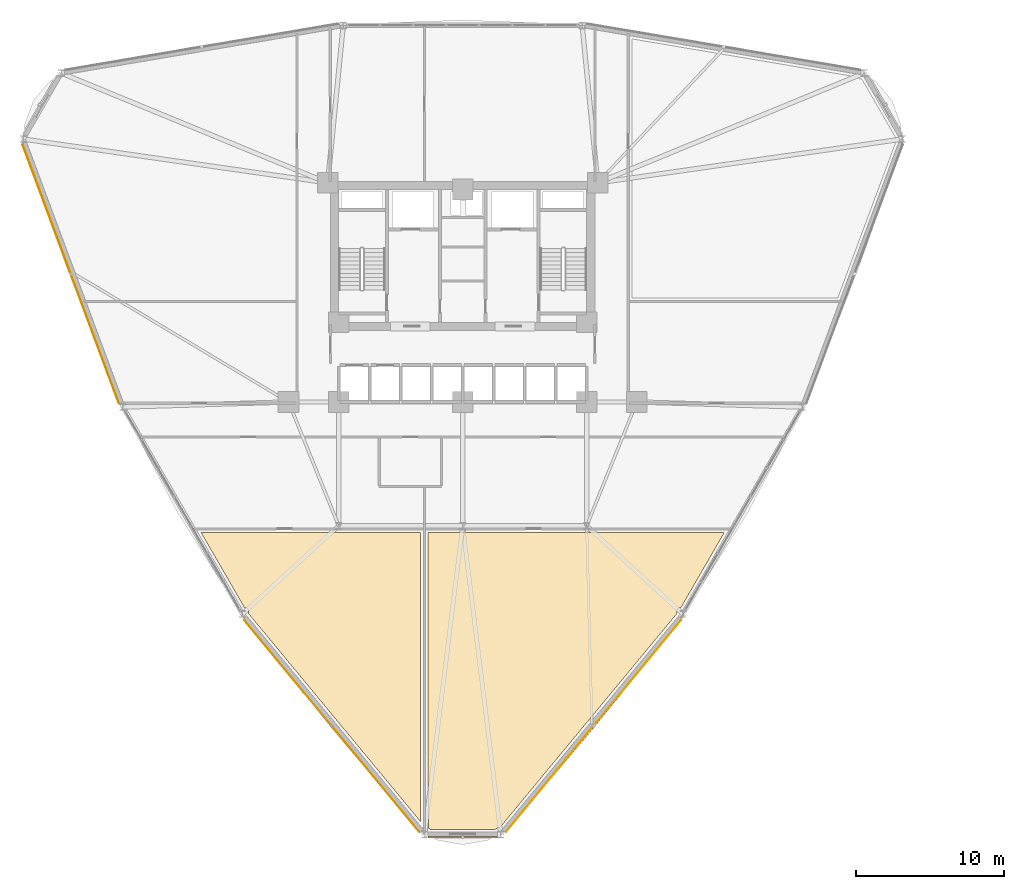
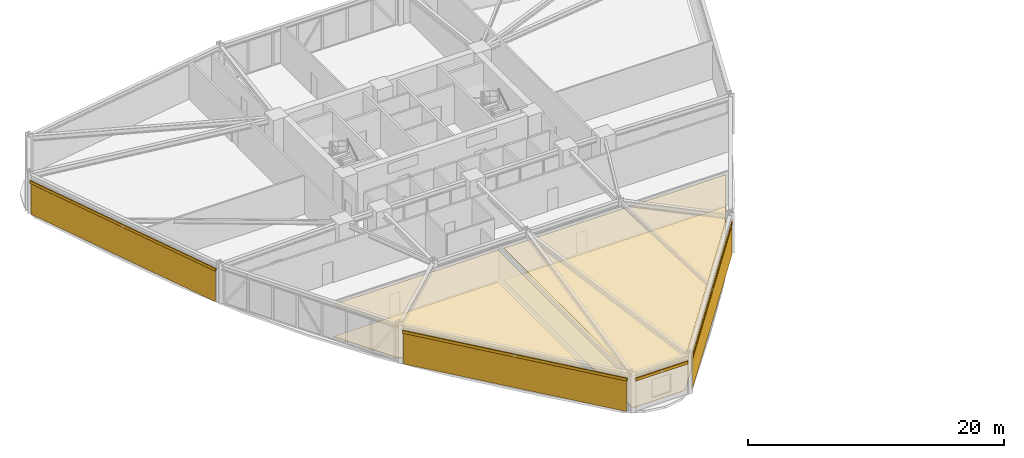
# One storey, part 21 of 23: 7 coverings, 4 shading devices.
"""IFC4 building model written with IfcOpenShell, lengths in metres."""

from ifc_helpers import new_model, si_unit, derived_unit, direction, frame, origin, origin_2d, place, context, subcontext, project, spatial, polyline, hollow_rectangle, outline, extrude, source, transform, mapped, material, layer, layer_set, material_profile, profile_set, type_object, element, save


model = new_model("IFC4")

# Units and contexts
model_context = context("Model", 3, precision=1e-05, world=origin(), true_north=direction((0.0, 1.0)))
body_context = subcontext(model_context, "Body", "Model", "MODEL_VIEW")
ifc_project = project(units=[si_unit("LENGTHUNIT", "METRE"), si_unit("AREAUNIT", "SQUARE_METRE"), si_unit("VOLUMEUNIT", "CUBIC_METRE"), si_unit("PLANEANGLEUNIT", "RADIAN"), si_unit("MASSUNIT", "GRAM", prefix="KILO"), derived_unit("THERMALTRANSMITTANCEUNIT", [(si_unit("POWERUNIT", "WATT"), 1), (si_unit("LENGTHUNIT", "METRE"), -2), (si_unit("THERMODYNAMICTEMPERATUREUNIT", "KELVIN"), -1)])], contexts=[model_context])

# Site, building, storey
site_placement = place(None, origin())
site = spatial("IfcSite", under=ifc_project, at=site_placement, CompositionType="ELEMENT")
building_placement = place(site_placement, origin())
building = spatial("IfcBuilding", under=site, at=building_placement, Name="Korsvarv Bourse and Concert Hall", CompositionType="ELEMENT")
storey_placement = place(building_placement, frame((0.0, 0.0, 24.0)))
storey = spatial("IfcBuildingStorey", under=building, at=storey_placement, Name="L05", CompositionType="ELEMENT", Elevation=24.0)

# Coverings
ifc_material_1 = material(Name="Perforated mineral-wool and birch acoustic baffle ceiling", Category="wood")
ifc_layer_1 = layer(ifc_material_1, 0.02490234375)
ifc_layer_set_1 = layer_set([ifc_layer_1], Name="Perforated mineral-wool and birch acoustic baffle ceiling")
covering_type_1 = type_object("IfcCoveringType", Name="COV-CEIL-1", PredefinedType="CEILING", material=ifc_layer_set_1)
covering_1_placement = place(storey_placement, frame((0.0, 0.0, 3.06005859375)))
element("IfcCovering", 1, at=covering_1_placement, inside=storey, type_object=covering_type_1, Name="L05 acoustic baffle ceiling 2", PredefinedType="CEILING", context=body_context, shape_type="SweptSolid", body=[
    extrude(outline(polyline([(53.72705078125, 23.550048828125), (50.7861328125, 18.455810546875), (50.72021484375, 18.455810546875), (50.685791015625, 18.452392578125), (50.65283203125, 18.442626953125), (50.622314453125, 18.427001953125), (50.59521484375, 18.405517578125), (50.57275390625, 18.37939453125), (50.555908203125, 18.349365234375), (50.544921875, 18.316650390625), (50.540283203125, 18.28271484375), (50.532470703125, 18.0791015625), (38.493896484375, 3.520751953125), (38.369873046875, 3.520751953125), (38.335205078125, 3.517333984375), (38.3017578125, 3.50732421875), (38.27099609375, 3.490966796875), (38.24365234375, 3.468994140625), (38.22119140625, 3.4423828125), (33.78759765625, 3.43359375), (33.7646484375, 3.460693359375), (33.736083984375, 3.48291015625), (33.70361328125, 3.4990234375), (33.668701171875, 3.50830078125), (33.64990234375, 23.550048828125), (53.72705078125, 23.550048828125)])), origin(), (0.0, 0.0, 1.0), 0.02490234375),
])
covering_2_placement = place(storey_placement, frame((0.0, 0.0, 3.06005859375)))
element("IfcCovering", 2, at=covering_2_placement, inside=storey, type_object=covering_type_1, Name="L05 acoustic baffle ceiling 3", PredefinedType="CEILING", context=body_context, shape_type="SweptSolid", body=[
    extrude(outline(polyline([(33.14990234375, 23.550048828125), (33.14990234375, 3.951416015625), (21.469970703125, 18.076171875), (21.469970703125, 18.265869140625), (21.46630859375, 18.302001953125), (21.455322265625, 18.336669921875), (21.437744140625, 18.368408203125), (21.414306640625, 18.39599609375), (21.385498046875, 18.418212890625), (21.35302734375, 18.434326171875), (21.318115234375, 18.443603515625), (21.21728515625, 18.4501953125), (18.27294921875, 23.550048828125), (33.14990234375, 23.550048828125)])), origin(), (0.0, 0.0, 1.0), 0.02490234375),
])
ifc_material_2 = material(Name="Warm iron-oxide extruded terracotta rainscreen tile", Category="ceramic")
ifc_layer_2 = layer(ifc_material_2, 0.044921875)
ifc_layer_set_2 = layer_set([ifc_layer_2], Name="Warm iron-oxide extruded terracotta rainscreen tile")
covering_type_2 = type_object("IfcCoveringType", Name="COV-CLD-TC", PredefinedType="CLADDING", material=ifc_layer_set_2)
covering_3_placement = place(storey_placement, origin())
element("IfcCovering", 3, at=covering_3_placement, inside=storey, type_object=covering_type_2, Name="L05 fluted terracotta cladding panel EW-L05-B06", PredefinedType="CLADDING", context=body_context, shape_type="SweptSolid", body=[
    extrude(outline(polyline([(6.202880859375, 49.85302734375), (12.72607421875, 32.323974609375), (12.683837890625, 32.308349609375), (6.16064453125, 49.83740234375), (6.202880859375, 49.85302734375)])), origin(), (0.0, 0.0, 1.0), 2.909912109375),
])
covering_4_placement = place(storey_placement, origin())
element("IfcCovering", 4, at=covering_4_placement, inside=storey, type_object=covering_type_2, Name="L05 fluted terracotta cladding panel EW-L05-B08", PredefinedType="CLADDING", context=body_context, shape_type="SweptSolid", body=[
    extrude(outline(polyline([(21.21484375, 17.63916015625), (33.06298828125, 3.311279296875), (33.0283203125, 3.28271484375), (21.180419921875, 17.6103515625), (21.21484375, 17.63916015625)])), origin(), (0.0, 0.0, 1.0), 2.909912109375),
])
covering_5_placement = place(storey_placement, origin())
element("IfcCovering", 5, at=covering_5_placement, inside=storey, type_object=covering_type_2, Name="L05 fluted terracotta cladding panel EW-L05-B10", PredefinedType="CLADDING", context=body_context, shape_type="SweptSolid", body=[
    extrude(outline(polyline([(38.93701171875, 3.311279296875), (50.78515625, 17.63916015625), (50.819580078125, 17.6103515625), (38.9716796875, 3.28271484375), (38.93701171875, 3.311279296875)])), origin(), (0.0, 0.0, 1.0), 2.909912109375),
])
ifc_material_3 = material(Name="Calcium-sulphate raised access trading floor with Nordic oak top", Category="wood")
ifc_layer_3 = layer(ifc_material_3, 0.0400390625)
ifc_layer_set_3 = layer_set([ifc_layer_3], Name="Calcium-sulphate raised access trading floor with Nordic oak top")
covering_type_3 = type_object("IfcCoveringType", Name="COV-FLOR-1", PredefinedType="FLOORING", material=ifc_layer_set_3)
covering_6_placement = place(storey_placement, origin())
element("IfcCovering", 6, at=covering_6_placement, inside=storey, type_object=covering_type_3, Name="L05 raised access oak floor finish 2", PredefinedType="FLOORING", context=body_context, shape_type="SweptSolid", body=[
    extrude(outline(polyline([(53.72705078125, 23.550048828125), (50.7861328125, 18.455810546875), (50.72021484375, 18.455810546875), (50.685791015625, 18.452392578125), (50.65283203125, 18.442626953125), (50.622314453125, 18.427001953125), (50.59521484375, 18.405517578125), (50.57275390625, 18.37939453125), (50.555908203125, 18.349365234375), (50.544921875, 18.316650390625), (50.540283203125, 18.28271484375), (50.532470703125, 18.0791015625), (38.493896484375, 3.520751953125), (38.369873046875, 3.520751953125), (38.335205078125, 3.517333984375), (38.3017578125, 3.50732421875), (38.27099609375, 3.490966796875), (38.24365234375, 3.468994140625), (38.22119140625, 3.4423828125), (33.78759765625, 3.43359375), (33.7646484375, 3.460693359375), (33.736083984375, 3.48291015625), (33.70361328125, 3.4990234375), (33.668701171875, 3.50830078125), (33.64990234375, 23.550048828125), (53.72705078125, 23.550048828125)])), origin(), (0.0, 0.0, 1.0), 0.0400390625),
])
covering_7_placement = place(storey_placement, origin())
element("IfcCovering", 7, at=covering_7_placement, inside=storey, type_object=covering_type_3, Name="L05 raised access oak floor finish 3", PredefinedType="FLOORING", context=body_context, shape_type="SweptSolid", body=[
    extrude(outline(polyline([(33.14990234375, 23.550048828125), (33.14990234375, 3.951416015625), (21.469970703125, 18.076171875), (21.469970703125, 18.265869140625), (21.46630859375, 18.302001953125), (21.455322265625, 18.336669921875), (21.437744140625, 18.368408203125), (21.414306640625, 18.39599609375), (21.385498046875, 18.418212890625), (21.35302734375, 18.434326171875), (21.318115234375, 18.443603515625), (21.21728515625, 18.4501953125), (18.27294921875, 23.550048828125), (33.14990234375, 23.550048828125)])), origin(), (0.0, 0.0, 1.0), 0.0400390625),
])

# Shading devices
ifc_material_4 = material(Name="Glazed extruded architectural terracotta", Category="ceramic")
ifc_material_profile = material_profile(ifc_material_4, hollow_rectangle(XDim=0.090087890625, YDim=0.260009765625, WallThickness=0.011962890625, at=origin_2d()), Name="TC-BAG 90x260")
ifc_profile_set = profile_set([ifc_material_profile], Name="Glazed extruded architectural terracotta")
shading_device_type = type_object("IfcShadingDeviceType", Name="SHD-BAG-1", PredefinedType="USERDEFINED", material=ifc_profile_set)
shared_shape_1 = source(origin(), body_context, "Body", "SweptSolid", [
    extrude(hollow_rectangle(XDim=0.090087890625, YDim=0.260009765625, WallThickness=0.011962890625, at=origin_2d()), origin(), (0.0, 0.0, 1.0), 18.863525390625),
])
shading_device_1_placement = place(storey_placement, frame((6.137451171875, 49.914306640625, 3.070068359375), z_axis=(0.34875935694, -0.937212308363, 0.0), x_axis=(0.937212308363, 0.34875935694, 0.0)))
element("IfcShadingDevice", 8, at=shading_device_1_placement, inside=storey, type_object=shading_device_type, Name="L05 terracotta baguette sunshade EW-L05-B06", ObjectType="BAGUETTE", PredefinedType="USERDEFINED", context=body_context, shape_type="MappedRepresentation", body=[
    mapped(shared_shape_1, transform((0.0, 0.0, 0.0), scale=1.0)),
])
shared_shape_2 = source(origin(), body_context, "Body", "SweptSolid", [
    extrude(hollow_rectangle(XDim=0.090087890625, YDim=0.260009765625, WallThickness=0.011962890625, at=origin_2d()), origin(), (0.0, 0.0, 1.0), 18.751953125),
])
for number, where, z_axis, x_axis, name in (
    (9, (21.133056640625, 17.67529296875, 3.070068359375), (0.637262575447, -0.770646747826, 0.0), (0.770646747826, 0.637262575447, 0.0), "L05 terracotta baguette sunshade EW-L05-B08"),
    (10, (38.9169921875, 3.22412109375, 3.070068359375), (0.637262575447, 0.770646747826, 0.0), (-0.770646747826, 0.637262575447, 0.0), "L05 terracotta baguette sunshade EW-L05-B10"),
):
    element("IfcShadingDevice", number, at=place(storey_placement, frame(where, z_axis=z_axis, x_axis=x_axis)), inside=storey, type_object=shading_device_type, Name=name, ObjectType="BAGUETTE", PredefinedType="USERDEFINED", context=body_context, shape_type="MappedRepresentation", body=[
        mapped(shared_shape_2, transform((0.0, 0.0, 0.0), scale=1.0)),
    ])
shared_shape_3 = source(origin(), body_context, "Body", "SweptSolid", [
    extrude(hollow_rectangle(XDim=0.090087890625, YDim=0.260009765625, WallThickness=0.011962890625, at=origin_2d()), origin(), (0.0, 0.0, 1.0), 4.72998046875),
])
shading_device_2_placement = place(storey_placement, frame((33.635009765625, 2.90869140625, 3.070068359375), z_axis=(1.0, 0.0, 0.0), x_axis=(0.0, 1.0, 0.0)))
element("IfcShadingDevice", 11, at=shading_device_2_placement, inside=storey, type_object=shading_device_type, Name="L05 terracotta baguette sunshade EW-L05-B09", ObjectType="BAGUETTE", PredefinedType="USERDEFINED", context=body_context, shape_type="MappedRepresentation", body=[
    mapped(shared_shape_3, transform((0.0, 0.0, 0.0), scale=1.0)),
])

save(model, "model.ifc")
